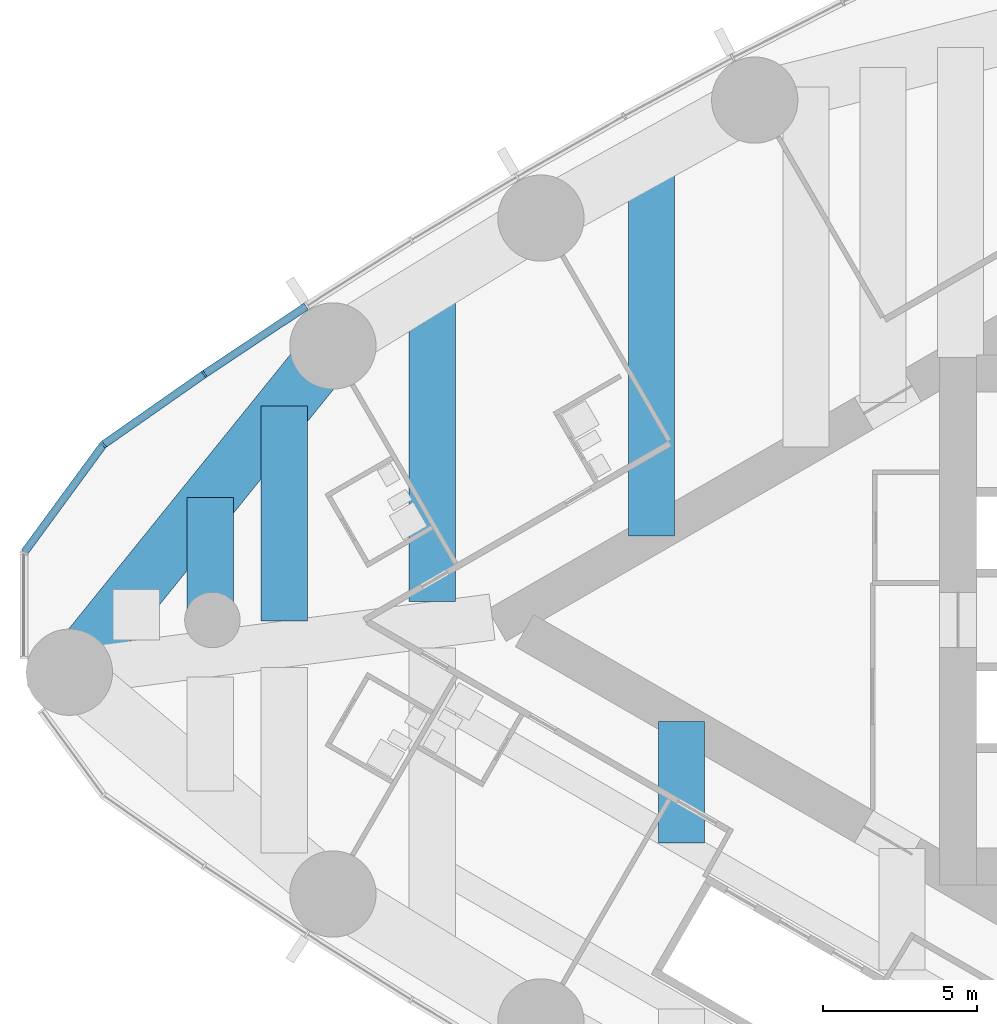
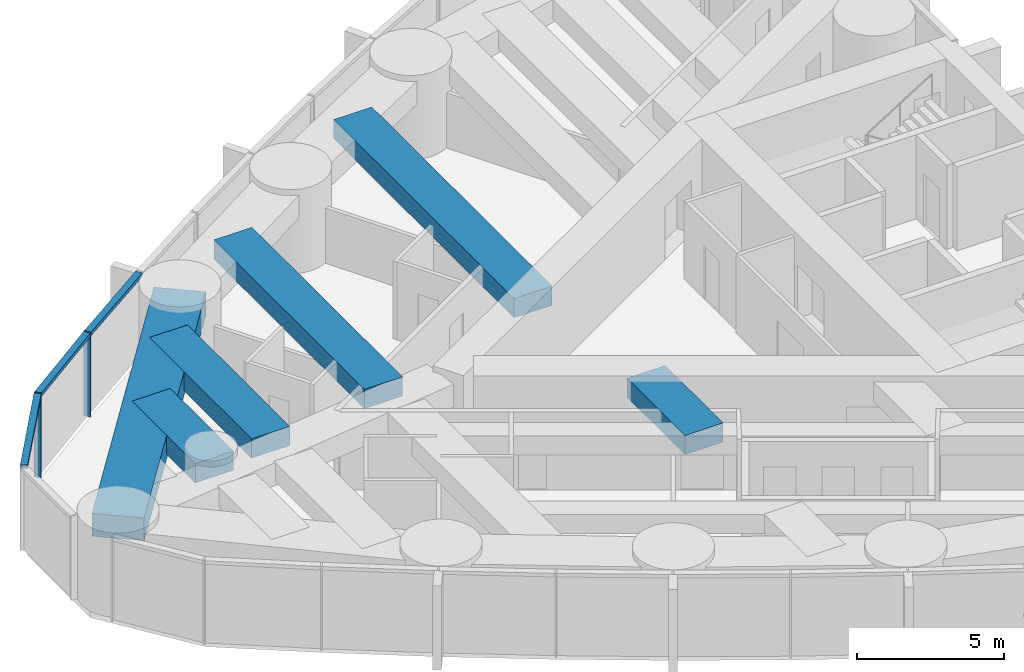
# One storey, part 3 of 18: 6 beams, 5 members, 1 element without a shape of its own.
"""IFC4 building model written with IfcOpenShell, lengths in metres."""

from ifc_helpers import new_model, si_unit, direction, frame, origin, origin_2d, place, context, subcontext, project, spatial, rectangle, extrude, material, material_profile, profile_set, type_object, element, aggregate, save


model = new_model("IFC4")

# Units and contexts
model_context = context("Model", 3, precision=1e-05, world=origin(), true_north=direction((0.0, 1.0)))
body_context = subcontext(model_context, "Body", "Model", "MODEL_VIEW")
ifc_project = project(units=[si_unit("LENGTHUNIT", "METRE"), si_unit("AREAUNIT", "SQUARE_METRE"), si_unit("VOLUMEUNIT", "CUBIC_METRE"), si_unit("PLANEANGLEUNIT", "RADIAN"), si_unit("MASSUNIT", "GRAM", prefix="KILO")], contexts=[model_context])

# Site, building, storey
site_placement = place(None, origin())
site = spatial("IfcSite", under=ifc_project, at=site_placement, CompositionType="ELEMENT")
building_placement = place(site_placement, origin())
building = spatial("IfcBuilding", under=site, at=building_placement, Name="Lancet Gate Hotel", CompositionType="ELEMENT")
storey_placement = place(building_placement, frame((0.0, 0.0, 187.800048828125)))
storey = spatial("IfcBuildingStorey", under=building, at=storey_placement, Name="L50", CompositionType="ELEMENT", Elevation=187.800048828125)

# Curtain wall, members
ifc_material_1 = material(Name="Aluminium curtain wall", Category="aluminium")
curtain_wall_type = type_object("IfcCurtainWallType", Name="Tower unitised curtain wall", PredefinedType="USERDEFINED", material=ifc_material_1)
curtain_wall_placement = place(storey_placement, origin())
curtain_wall = element("IfcCurtainWall", 1, at=curtain_wall_placement, inside=storey, type_object=curtain_wall_type, Name="T1 L50 curtain wall 2", ObjectType="UNITISED CURTAIN WALL", PredefinedType="USERDEFINED")
ifc_material_2 = material(Name="Aluminium mullion", Category="aluminium")
ifc_material_profile_1 = material_profile(ifc_material_2, rectangle(XDim=0.06494140625, YDim=0.25, at=origin_2d()), Name="MULLION 65x250")
ifc_profile_set_1 = profile_set([ifc_material_profile_1], Name="Aluminium mullion")
member_type_1 = type_object("IfcMemberType", Name="Aluminium mullion 65x250", PredefinedType="MULLION", material=ifc_profile_set_1)
member_1_placement = place(storey_placement, frame((-61.7626953125, 7.980712890625, 0.0), z_axis=(0.0, 0.0, 1.0), x_axis=(-0.826312172542, -0.563212387568, 0.0)))
member_1 = element("IfcMember", 2, at=member_1_placement, type_object=member_type_1, Name="T1 L50 curtain wall 2 mullion 10", PredefinedType="MULLION", context=body_context, shape_type="SweptSolid", body=[
    extrude(rectangle(XDim=0.06494140625, YDim=0.25, at=origin_2d()), origin(), (0.0, 0.0, 1.0), 3.5),
])
member_2_placement = place(storey_placement, frame((-65.040283203125, 5.68994140625, 0.0), z_axis=(0.0, 0.0, 1.0), x_axis=(-0.710112861968, -0.704087866155, 0.0)))
member_2 = element("IfcMember", 3, at=member_2_placement, type_object=member_type_1, Name="T1 L50 curtain wall 2 mullion 11", PredefinedType="MULLION", context=body_context, shape_type="SweptSolid", body=[
    extrude(rectangle(XDim=0.06494140625, YDim=0.25, at=origin_2d()), origin(), (0.0, 0.0, 1.0), 3.5),
])
ifc_material_3 = material(Name="Aluminium transom", Category="aluminium")
ifc_material_profile_2 = material_profile(ifc_material_3, rectangle(XDim=0.25, YDim=0.14990234375, at=origin_2d()), Name="TRANSOM 250x150")
ifc_profile_set_2 = profile_set([ifc_material_profile_2], Name="Aluminium transom")
member_type_2 = type_object("IfcMemberType", Name="Aluminium transom 250x150", PredefinedType="USERDEFINED", material=ifc_profile_set_2)
member_3_placement = place(storey_placement, frame((-58.459228515625, 10.176025390625, 3.425048828125), z_axis=(-0.832870509189, -0.553467898729, 0.0), x_axis=(0.553467898729, -0.832870509189, 0.0)))
member_3 = element("IfcMember", 4, at=member_3_placement, type_object=member_type_2, Name="T1 L50 curtain wall 2 transom 9", ObjectType="TRANSOM", PredefinedType="USERDEFINED", context=body_context, shape_type="SweptSolid", body=[
    extrude(rectangle(XDim=0.25, YDim=0.14990234375, at=origin_2d()), origin(), (0.0, 0.0, 1.0), 3.933837890625),
])
member_4_placement = place(storey_placement, frame((-61.789306640625, 7.962158203125, 3.425048828125), z_axis=(-0.819636985462, -0.572883244704, 0.0), x_axis=(0.572883244704, -0.819636985462, 0.0)))
member_4 = element("IfcMember", 5, at=member_4_placement, type_object=member_type_2, Name="T1 L50 curtain wall 2 transom 10", ObjectType="TRANSOM", PredefinedType="USERDEFINED", context=body_context, shape_type="SweptSolid", body=[
    extrude(rectangle(XDim=0.25, YDim=0.14990234375, at=origin_2d()), origin(), (0.0, 0.0, 1.0), 3.933837890625),
])
member_5_placement = place(storey_placement, frame((-65.0595703125, 5.66357421875, 3.425048828125), z_axis=(-0.591324189618, -0.806433941977, 0.0), x_axis=(0.806433941977, -0.591324189618, 0.0)))
member_5 = element("IfcMember", 6, at=member_5_placement, type_object=member_type_2, Name="T1 L50 curtain wall 2 transom 11", ObjectType="TRANSOM", PredefinedType="USERDEFINED", context=body_context, shape_type="SweptSolid", body=[
    extrude(rectangle(XDim=0.25, YDim=0.14990234375, at=origin_2d()), origin(), (0.0, 0.0, 1.0), 4.2900390625),
])
aggregate(curtain_wall, [member_1, member_2, member_3, member_4, member_5])

# Beams
ifc_material_4 = material(Name="Concrete C50/60", Category="concrete")
ifc_material_profile_3 = material_profile(ifc_material_4, rectangle(XDim=1.800048828125, YDim=0.949951171875, at=origin_2d()), Name="RC 1800x950")
ifc_profile_set_3 = profile_set([ifc_material_profile_3], Name="Concrete C50/60")
beam_type_1 = type_object("IfcBeamType", Name="Edge beam RC 1800x950", PredefinedType="SPANDREL", material=ifc_profile_set_3)
beam_1_placement = place(storey_placement, frame((-57.589599609375, 8.89306640625, 2.77490234375), z_axis=(-0.628373846765, -0.777911504416, 0.0), x_axis=(0.777911504416, -0.628373846765, 0.0)))
element("IfcBeam", 7, at=beam_1_placement, inside=storey, type_object=beam_type_1, Name="T1 edge beam EB1 L50", PredefinedType="SPANDREL", context=body_context, shape_type="SweptSolid", body=[
    extrude(rectangle(XDim=1.800048828125, YDim=0.949951171875, at=origin_2d()), origin(), (0.0, 0.0, 1.0), 13.611328125),
])
ifc_material_5 = material(Name="Concrete C50/60", Category="concrete")
ifc_material_profile_4 = material_profile(ifc_material_5, rectangle(XDim=1.5, YDim=0.800048828125, at=origin_2d()), Name="RC 1500x800")
ifc_profile_set_4 = profile_set([ifc_material_profile_4], Name="Concrete C50/60")
beam_type_2 = type_object("IfcBeamType", Name="Floor beam RC 1500x800", PredefinedType="BEAM", material=ifc_profile_set_4)
beam_2_placement = place(storey_placement, frame((-47.254638671875, 15.020751953125, 2.849853515625), z_axis=(0.0, -1.0, 0.0), x_axis=(1.0, 0.0, 0.0)))
element("IfcBeam", 8, at=beam_2_placement, inside=storey, type_object=beam_type_2, Name="T1 floor beam F09S L50", PredefinedType="BEAM", context=body_context, shape_type="SweptSolid", body=[
    extrude(rectangle(XDim=1.5, YDim=0.800048828125, at=origin_2d()), origin(), (0.0, 0.0, 1.0), 12.29931640625),
])
beam_3_placement = place(storey_placement, frame((-54.3681640625, 10.87353515625, 2.849853515625), z_axis=(0.0, -1.0, 0.0), x_axis=(1.0, 0.0, 0.0)))
element("IfcBeam", 9, at=beam_3_placement, inside=storey, type_object=beam_type_2, Name="T1 floor beam F10S L50", PredefinedType="BEAM", context=body_context, shape_type="SweptSolid", body=[
    extrude(rectangle(XDim=1.5, YDim=0.800048828125, at=origin_2d()), origin(), (0.0, 0.0, 1.0), 10.27392578125),
])
beam_4_placement = place(storey_placement, frame((-59.168212890625, 6.938720703125, 2.849853515625), z_axis=(0.0, -1.0, 0.0), x_axis=(1.0, 0.0, 0.0)))
element("IfcBeam", 10, at=beam_4_placement, inside=storey, type_object=beam_type_2, Name="T1 floor beam F12S L50", PredefinedType="BEAM", context=body_context, shape_type="SweptSolid", body=[
    extrude(rectangle(XDim=1.5, YDim=0.800048828125, at=origin_2d()), origin(), (0.0, 0.0, 1.0), 6.96630859375),
])
beam_5_placement = place(storey_placement, frame((-61.568359375, 3.967529296875, 2.849853515625), z_axis=(0.0, -1.0, 0.0), x_axis=(1.0, 0.0, 0.0)))
element("IfcBeam", 11, at=beam_5_placement, inside=storey, type_object=beam_type_2, Name="T1 floor beam F14S L50", PredefinedType="BEAM", context=body_context, shape_type="SweptSolid", body=[
    extrude(rectangle(XDim=1.5, YDim=0.800048828125, at=origin_2d()), origin(), (0.0, 0.0, 1.0), 4.308837890625),
])
beam_6_placement = place(storey_placement, frame((-46.27587890625, -3.28662109375, 2.849853515625), z_axis=(0.0, -1.0, 0.0), x_axis=(1.0, 0.0, 0.0)))
element("IfcBeam", 12, at=beam_6_placement, inside=storey, type_object=beam_type_2, Name="T1 floor beam F08NA L50", PredefinedType="BEAM", context=body_context, shape_type="SweptSolid", body=[
    extrude(rectangle(XDim=1.5, YDim=0.800048828125, at=origin_2d()), origin(), (0.0, 0.0, 1.0), 3.945556640625),
])

save(model, "model.ifc")
